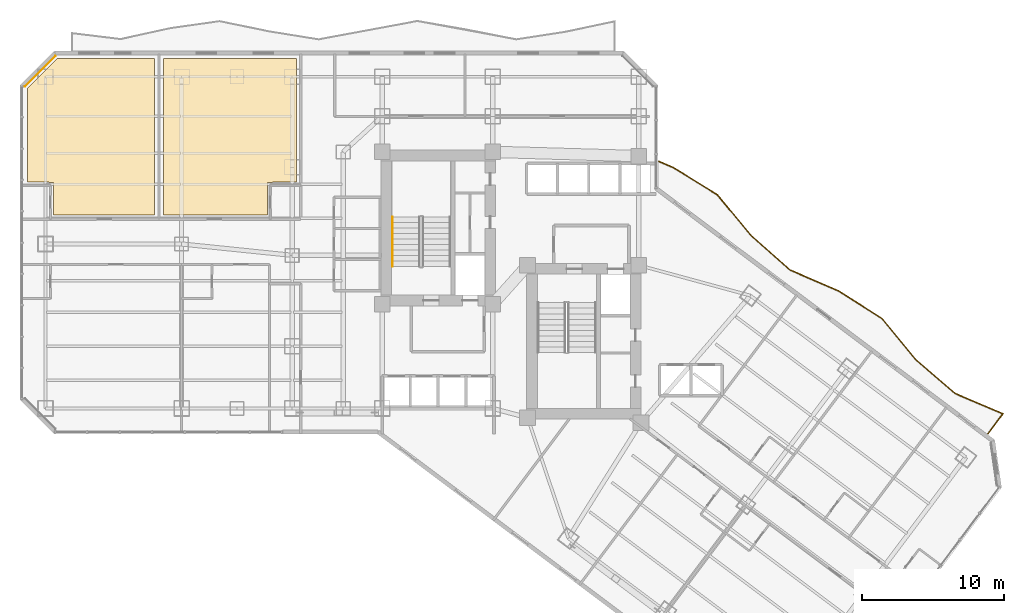
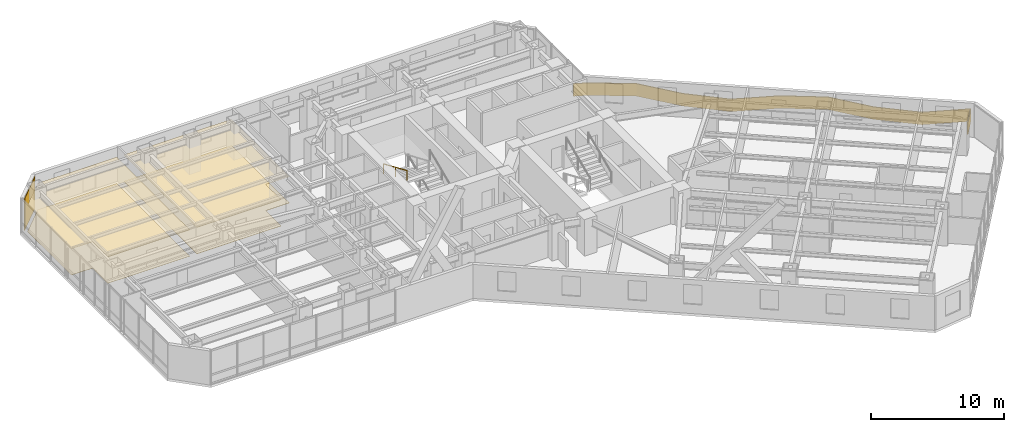
# One storey, part 31 of 33: 5 coverings, 2 railings.
"""IFC4 building model written with IfcOpenShell, lengths in metres."""

from ifc_helpers import new_model, si_unit, direction, frame, origin, origin_2d, place, context, subcontext, project, spatial, polyline, rectangle, circle, outline, extrude, material, layer, layer_set, type_object, element, save


model = new_model("IFC4")

# Units and contexts
model_context = context("Model", 3, precision=1e-05, world=origin(), true_north=direction((0.0, 1.0)))
body_context = subcontext(model_context, "Body", "Model", "MODEL_VIEW")
ifc_project = project(units=[si_unit("LENGTHUNIT", "METRE"), si_unit("AREAUNIT", "SQUARE_METRE"), si_unit("VOLUMEUNIT", "CUBIC_METRE"), si_unit("PLANEANGLEUNIT", "RADIAN"), si_unit("MASSUNIT", "GRAM", prefix="KILO")], contexts=[model_context])

# Site, building, storey
site_placement = place(None, origin())
site = spatial("IfcSite", under=ifc_project, at=site_placement, CompositionType="ELEMENT")
building_placement = place(site_placement, origin())
building = spatial("IfcBuilding", under=site, at=building_placement, Name="Hatsunagi Terrace Concourse", CompositionType="ELEMENT")
storey_placement = place(building_placement, frame((0.0, 0.0, 53.35009765625)))
storey = spatial("IfcBuildingStorey", under=building, at=storey_placement, Name="L13", CompositionType="ELEMENT", Elevation=53.35009765625)

# Covering
ifc_material_1 = material(Name="Acoustic mineral board", Category="gypsum")
ifc_layer_1 = layer(ifc_material_1, 0.02001953125)
ifc_layer_set_1 = layer_set([ifc_layer_1], Name="AcousticMineralCeiling_20")
covering_type_1 = type_object("IfcCoveringType", Name="AcousticMineralCeiling_20", PredefinedType="CEILING", material=ifc_layer_set_1)
covering_1_placement = place(storey_placement, frame((0.0, 0.0, 2.419921875)))
element("IfcCovering", 1, at=covering_1_placement, inside=storey, type_object=covering_type_1, Name="Suspended Ceiling L13-1", PredefinedType="CEILING", context=body_context, shape_type="SweptSolid", body=[
    extrude(outline(polyline([(10.110107421875, 49.8701171875), (10.110107421875, 38.85009765625), (17.44189453125, 38.85009765625), (17.444091796875, 41.155029296875), (19.489990234375, 41.157958984375), (19.489990234375, 49.8701171875), (10.110107421875, 49.8701171875)])), origin(), (0.0, 0.0, 1.0), 0.02001953125),
])

# Railing
ifc_material_2 = material(Name="Laminated Glass and Stainless Steel Guard", Category="steel")
ifc_layer_2 = layer(ifc_material_2, 0.070068359375)
ifc_layer_set_2 = layer_set([ifc_layer_2], Name="BalconyGlassGuardRail_1150")
railing_type_1 = type_object("IfcRailingType", Name="BalconyGlassGuardRail_1150", PredefinedType="BALUSTRADE", material=ifc_layer_set_2)
railing_1_placement = place(storey_placement, origin())
element("IfcRailing", 2, at=railing_1_placement, inside=storey, type_object=railing_type_1, Name="Engawa Balcony Guard GRD-01 L13-BSE-1", PredefinedType="BALUSTRADE", context=body_context, shape_type="SweptSolid", body=[
    extrude(outline(polyline([(45.06005859375, 42.673095703125), (45.031982421875, 42.60888671875), (46.07470703125, 42.15478515625), (49.16162109375, 40.248291015625), (51.540771484375, 37.376708984375), (54.281005859375, 34.941162109375), (57.7216796875, 33.4619140625), (60.776611328125, 31.514404296875), (63.14794921875, 28.62939453125), (65.918212890625, 26.23486328125), (69.275146484375, 24.808349609375), (68.241943359375, 23.430908203125), (68.298095703125, 23.388916015625), (69.384765625, 24.837646484375), (65.955810546875, 26.295166015625), (63.197998046875, 28.678466796875), (60.823486328125, 31.5673828125), (57.75439453125, 33.52392578125), (54.319091796875, 35.0009765625), (51.59130859375, 37.42529296875), (49.208251953125, 40.3017578125), (46.107421875, 42.217041015625), (45.06005859375, 42.673095703125)])), origin(), (0.0, 0.0, 1.0), 1.14990234375),
])

# Coverings
ifc_material_3 = material(Name="Granite stone paving", Category="masonry")
ifc_layer_3 = layer(ifc_material_3, 0.02490234375)
ifc_layer_set_3 = layer_set([ifc_layer_3], Name="GraniteStoneFlooring_25")
covering_type_2 = type_object("IfcCoveringType", Name="GraniteStoneFlooring_25", PredefinedType="FLOORING", material=ifc_layer_set_3)
covering_2_placement = place(storey_placement, origin())
element("IfcCovering", 3, at=covering_2_placement, inside=storey, type_object=covering_type_2, Name="Finished Flooring L13-1", PredefinedType="FLOORING", context=body_context, shape_type="SweptSolid", body=[
    extrude(outline(polyline([(10.110107421875, 49.8701171875), (10.110107421875, 38.85009765625), (17.44189453125, 38.85009765625), (17.444091796875, 41.155029296875), (19.489990234375, 41.157958984375), (19.489990234375, 49.8701171875), (10.110107421875, 49.8701171875)])), origin(), (0.0, 0.0, 1.0), 0.02490234375),
])
ifc_material_4 = material(Name="Hardwood timber", Category="wood")
ifc_layer_4 = layer(ifc_material_4, 0.014892578125)
ifc_layer_set_4 = layer_set([ifc_layer_4], Name="HardwoodTimberFlooring_15")
covering_type_3 = type_object("IfcCoveringType", Name="HardwoodTimberFlooring_15", PredefinedType="FLOORING", material=ifc_layer_set_4)
covering_3_placement = place(storey_placement, origin())
element("IfcCovering", 4, at=covering_3_placement, inside=storey, type_object=covering_type_3, Name="Finished Flooring L13-2", PredefinedType="FLOORING", context=body_context, shape_type="SweptSolid", body=[
    extrude(outline(polyline([(0.530029296875, 47.780029296875), (0.530029296875, 41.157958984375), (2.35595703125, 41.155029296875), (2.35791015625, 38.85009765625), (9.489990234375, 38.85009765625), (9.489990234375, 49.8701171875), (2.6201171875, 49.8701171875), (0.530029296875, 47.780029296875)])), origin(), (0.0, 0.0, 1.0), 0.014892578125),
])

# Railing
ifc_material_5 = material(Name="Stainless steel", Category="steel")
ifc_layer_5 = layer(ifc_material_5, 0.044921875)
ifc_layer_set_5 = layer_set([ifc_layer_5], Name="StairPitchHandrail_Tower2000")
railing_type_2 = type_object("IfcRailingType", Name="StairPitchHandrail_Tower2000", PredefinedType="HANDRAIL", material=ifc_layer_set_5)
railing_2_placement = place(storey_placement, frame((26.280029296875, 38.7099609375, 1.84228515625)))
element("IfcRailing", 5, at=railing_2_placement, inside=storey, type_object=railing_type_2, Name="L13 ST-A stair handrail 2", PredefinedType="HANDRAIL", context=body_context, shape_type="SweptSolid", body=[
    extrude(circle(Radius=0.02392578125, at=origin_2d()), frame((0.0, 0.0, 0.8759765625), z_axis=(0.0, -0.918834009242, 0.394644223904), x_axis=(1.0, 0.0, 0.0)), (0.0, 0.0, 1.0), 3.820068359375),
    extrude(circle(Radius=0.02099609375, at=origin_2d()), origin(), (0.0, 0.0, 1.0), 0.851806640625),
    extrude(circle(Radius=0.02099609375, at=origin_2d()), frame((0.0, -1.7548828125, 0.75390625)), (0.0, 0.0, 1.0), 0.851806640625),
    extrude(circle(Radius=0.02099609375, at=origin_2d()), frame((0.0, -3.510009765625, 1.507568359375)), (0.0, 0.0, 1.0), 0.851806640625),
])

# Coverings
ifc_material_6 = material(Name="Unglazed Warm Terracotta Rainscreen Tile", Category="masonry")
ifc_layer_6 = layer(ifc_material_6, 0.044921875)
ifc_layer_set_6 = layer_set([ifc_layer_6], Name="TerracottaRainscreenCladding_45")
covering_type_4 = type_object("IfcCoveringType", Name="TerracottaRainscreenCladding_45", PredefinedType="CLADDING", material=ifc_layer_set_6)
covering_4_placement = place(storey_placement, frame((1.4140625, 48.986083984375, 0.10009765625), z_axis=(0.0, 0.0, 1.0), x_axis=(0.707106781187, 0.707106781187, 0.0)))
element("IfcCovering", 6, at=covering_4_placement, inside=storey, type_object=covering_type_4, Name="Terracotta Rainscreen Cladding L13-10", PredefinedType="CLADDING", context=body_context, shape_type="SweptSolid", body=[
    extrude(rectangle(XDim=3.0380859375, YDim=0.044921875, at=origin_2d()), origin(), (0.0, 0.0, 1.0), 2.929931640625),
])
ifc_material_7 = material(Name="Hardwood timber", Category="wood")
ifc_layer_7 = layer(ifc_material_7, 0.034912109375)
ifc_layer_set_7 = layer_set([ifc_layer_7], Name="TimberBaffleCeiling_35")
covering_type_5 = type_object("IfcCoveringType", Name="TimberBaffleCeiling_35", PredefinedType="CEILING", material=ifc_layer_set_7)
covering_5_placement = place(storey_placement, frame((0.0, 0.0, 2.419921875)))
element("IfcCovering", 7, at=covering_5_placement, inside=storey, type_object=covering_type_5, Name="Suspended Ceiling L13-2", PredefinedType="CEILING", context=body_context, shape_type="SweptSolid", body=[
    extrude(outline(polyline([(0.530029296875, 47.780029296875), (0.530029296875, 41.157958984375), (2.35595703125, 41.155029296875), (2.35791015625, 38.85009765625), (9.489990234375, 38.85009765625), (9.489990234375, 49.8701171875), (2.6201171875, 49.8701171875), (0.530029296875, 47.780029296875)])), origin(), (0.0, 0.0, 1.0), 0.034912109375),
])

save(model, "model.ifc")
